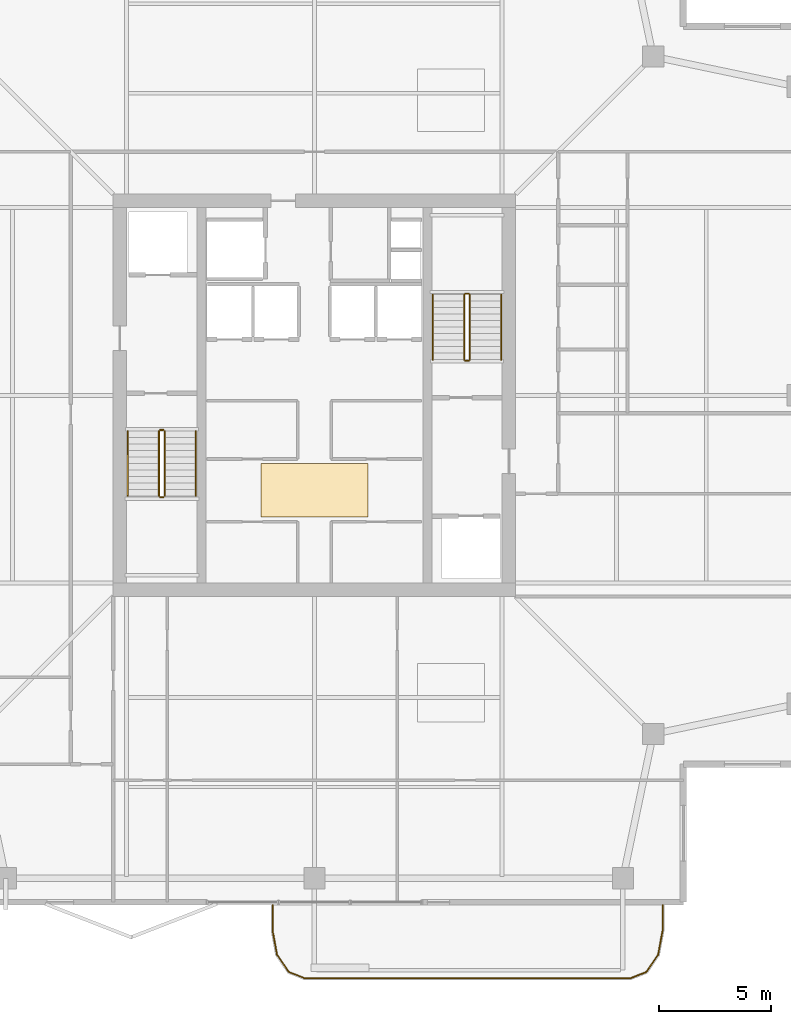
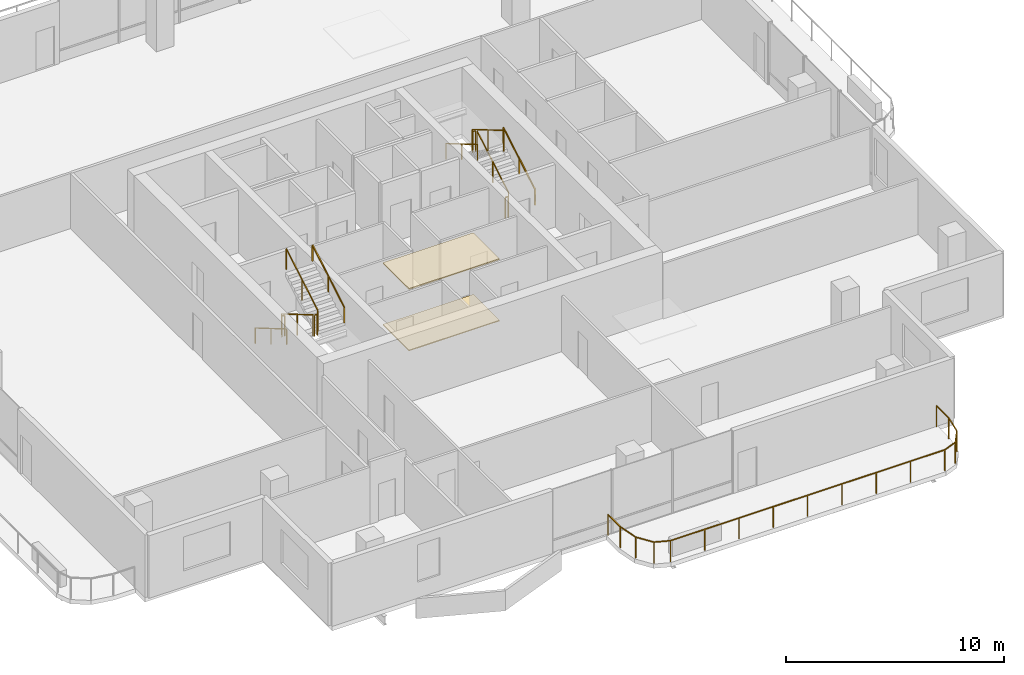
# One storey, part 17 of 18: 13 railings, 2 coverings.
"""IFC4 building model written with IfcOpenShell, lengths in metres."""

from ifc_helpers import new_model, si_unit, direction, frame, origin, origin_2d, place, context, subcontext, project, spatial, polyline, rectangle, outline, extrude, material, layer, layer_set, type_object, element, save


model = new_model("IFC4")

# Units and contexts
model_context = context("Model", 3, precision=1e-05, world=origin(), true_north=direction((0.0, 1.0)))
body_context = subcontext(model_context, "Body", "Model", "MODEL_VIEW")
ifc_project = project(units=[si_unit("LENGTHUNIT", "METRE"), si_unit("AREAUNIT", "SQUARE_METRE"), si_unit("VOLUMEUNIT", "CUBIC_METRE"), si_unit("PLANEANGLEUNIT", "RADIAN"), si_unit("MASSUNIT", "GRAM", prefix="KILO")], contexts=[model_context])

# Site, building, storey
site_placement = place(None, origin())
site = spatial("IfcSite", under=ifc_project, at=site_placement, CompositionType="ELEMENT")
building_placement = place(site_placement, origin())
building = spatial("IfcBuilding", under=site, at=building_placement, Name="Belovzor Exchange Tower", CompositionType="ELEMENT")
storey_placement = place(building_placement, frame((0.0, 0.0, 310.5)))
storey = spatial("IfcBuildingStorey", under=building, at=storey_placement, Name="L77", CompositionType="ELEMENT", Elevation=310.5)

# Railings
ifc_material_1 = material(Name="Stainless Steel Grade 304", Category="steel")
railing_type_1 = type_object("IfcRailingType", Name="Brushed Stainless Steel Stair Handrail 900", PredefinedType="HANDRAIL", material=ifc_material_1)
railing_1_placement = place(storey_placement, frame((20.449951171875, 27.199951171875, 0.17041015625)))
element("IfcRailing", 1, at=railing_1_placement, inside=storey, type_object=railing_type_1, Name="L77 ST-1 stair handrail 1", PredefinedType="HANDRAIL", context=body_context, shape_type="SweptSolid", body=[
    extrude(rectangle(XDim=0.048095703125, YDim=0.048095703125, at=origin_2d()), frame((0.0, 0.0, 0.8759765625), z_axis=(0.0, -0.86209462966, 0.506747323142), x_axis=(1.0, 0.0, 0.0)), (0.0, 0.0, 1.0), 3.36376953125),
    extrude(rectangle(XDim=0.0419921875, YDim=0.0419921875, at=origin_2d()), origin(), (0.0, 0.0, 1.0), 0.851806640625),
    extrude(rectangle(XDim=0.0419921875, YDim=0.0419921875, at=origin_2d()), frame((0.0, -1.449951171875, 0.852294921875)), (0.0, 0.0, 1.0), 0.851806640625),
    extrude(rectangle(XDim=0.0419921875, YDim=0.0419921875, at=origin_2d()), frame((0.0, -2.89990234375, 1.70458984375)), (0.0, 0.0, 1.0), 0.851806640625),
])
railing_2_placement = place(storey_placement, frame((23.5, 24.300048828125, 2.04541015625)))
element("IfcRailing", 2, at=railing_2_placement, inside=storey, type_object=railing_type_1, Name="L77 ST-1 stair handrail 2", PredefinedType="HANDRAIL", context=body_context, shape_type="SweptSolid", body=[
    extrude(rectangle(XDim=0.048095703125, YDim=0.048095703125, at=origin_2d()), frame((0.0, 0.0, 0.8759765625), z_axis=(0.0, 0.86209462966, 0.506747323142), x_axis=(-1.0, 0.0, 0.0)), (0.0, 0.0, 1.0), 3.36376953125),
    extrude(rectangle(XDim=0.0419921875, YDim=0.0419921875, at=origin_2d()), origin(), (0.0, 0.0, 1.0), 0.851806640625),
    extrude(rectangle(XDim=0.0419921875, YDim=0.0419921875, at=origin_2d()), frame((0.0, 1.449951171875, 0.852294921875)), (0.0, 0.0, 1.0), 0.851806640625),
    extrude(rectangle(XDim=0.0419921875, YDim=0.0419921875, at=origin_2d()), frame((0.0, 2.89990234375, 1.70458984375)), (0.0, 0.0, 1.0), 0.851806640625),
])
railing_3_placement = place(storey_placement, frame((37.14990234375, 30.39990234375, 0.17041015625)))
element("IfcRailing", 3, at=railing_3_placement, inside=storey, type_object=railing_type_1, Name="L77 ST-2 stair handrail 1", PredefinedType="HANDRAIL", context=body_context, shape_type="SweptSolid", body=[
    extrude(rectangle(XDim=0.048095703125, YDim=0.048095703125, at=origin_2d()), frame((0.0, 0.0, 0.8759765625), z_axis=(0.0, 0.862113265706, 0.506715617574), x_axis=(-1.0, 0.0, 0.0)), (0.0, 0.0, 1.0), 3.364013671875),
    extrude(rectangle(XDim=0.0419921875, YDim=0.0419921875, at=origin_2d()), origin(), (0.0, 0.0, 1.0), 0.851806640625),
    extrude(rectangle(XDim=0.0419921875, YDim=0.0419921875, at=origin_2d()), frame((0.0, 1.4501953125, 0.852294921875)), (0.0, 0.0, 1.0), 0.851806640625),
    extrude(rectangle(XDim=0.0419921875, YDim=0.0419921875, at=origin_2d()), frame((0.0, 2.900146484375, 1.70458984375)), (0.0, 0.0, 1.0), 0.851806640625),
])
railing_4_placement = place(storey_placement, frame((34.10009765625, 33.300048828125, 2.04541015625)))
element("IfcRailing", 4, at=railing_4_placement, inside=storey, type_object=railing_type_1, Name="L77 ST-2 stair handrail 2", PredefinedType="HANDRAIL", context=body_context, shape_type="SweptSolid", body=[
    extrude(rectangle(XDim=0.048095703125, YDim=0.048095703125, at=origin_2d()), frame((0.0, 0.0, 0.8759765625), z_axis=(0.0, -0.862113265706, 0.506715617574), x_axis=(1.0, 0.0, 0.0)), (0.0, 0.0, 1.0), 3.364013671875),
    extrude(rectangle(XDim=0.0419921875, YDim=0.0419921875, at=origin_2d()), origin(), (0.0, 0.0, 1.0), 0.851806640625),
    extrude(rectangle(XDim=0.0419921875, YDim=0.0419921875, at=origin_2d()), frame((0.0, -1.4501953125, 0.852294921875)), (0.0, 0.0, 1.0), 0.851806640625),
    extrude(rectangle(XDim=0.0419921875, YDim=0.0419921875, at=origin_2d()), frame((0.0, -2.900146484375, 1.70458984375)), (0.0, 0.0, 1.0), 0.851806640625),
])
ifc_material_2 = material(Name="Stainless Steel and Laminated Safety Glass", Category="steel")
railing_type_2 = type_object("IfcRailingType", Name="Laminated Glass & Stainless Steel Balcony Balustrade 1200", PredefinedType="BALUSTRADE", material=ifc_material_2)
railing_5_placement = place(storey_placement, frame((26.929931640625, 5.989990234375, 0.0)))
element("IfcRailing", 5, at=railing_5_placement, inside=storey, type_object=railing_type_2, Name="GR-1 Balcony Balustrade L77 South", PredefinedType="BALUSTRADE", context=body_context, shape_type="SweptSolid", body=[
    extrude(rectangle(XDim=0.048095703125, YDim=0.048095703125, at=origin_2d()), frame((0.0, 0.0, 1.17578125), z_axis=(0.0, -1.0, 0.0), x_axis=(1.0, 0.0, 0.0)), (0.0, 0.0, 1.0), 1.133056640625),
    extrude(rectangle(XDim=0.048095703125, YDim=0.048095703125, at=origin_2d()), frame((0.0, -1.133056640625, 1.17578125), z_axis=(0.180122719713, -0.983644145941, 0.0), x_axis=(0.983644145941, 0.180122719713, 0.0)), (0.0, 0.0, 1.0), 1.09375),
    extrude(rectangle(XDim=0.048095703125, YDim=0.048095703125, at=origin_2d()), frame((0.197021484375, -2.208984375, 1.17578125), z_axis=(0.56294695933, -0.826493025367, 0.0), x_axis=(0.826493025367, 0.56294695933, 0.0)), (0.0, 0.0, 1.0), 0.932861328125),
    extrude(rectangle(XDim=0.048095703125, YDim=0.048095703125, at=origin_2d()), frame((0.72216796875, -2.97998046875, 1.17578125), z_axis=(0.930766990125, -0.365612923861, 0.0), x_axis=(0.365612923861, 0.930766990125, 0.0)), (0.0, 0.0, 1.0), 0.765869140625),
    extrude(rectangle(XDim=0.048095703125, YDim=0.048095703125, at=origin_2d()), frame((1.43505859375, -3.260009765625, 1.17578125), z_axis=(1.0, 0.0, 0.0), x_axis=(0.0, 1.0, 0.0)), (0.0, 0.0, 1.0), 14.570068359375),
    extrude(rectangle(XDim=0.048095703125, YDim=0.048095703125, at=origin_2d()), frame((16.005126953125, -3.260009765625, 1.17578125), z_axis=(0.930766990125, 0.365612923861, 0.0), x_axis=(-0.365612923861, 0.930766990125, 0.0)), (0.0, 0.0, 1.0), 0.765869140625),
    extrude(rectangle(XDim=0.048095703125, YDim=0.048095703125, at=origin_2d()), frame((16.718017578125, -2.97998046875, 1.17578125), z_axis=(0.56294695933, 0.826493025367, 0.0), x_axis=(-0.826493025367, 0.56294695933, 0.0)), (0.0, 0.0, 1.0), 0.932861328125),
    extrude(rectangle(XDim=0.048095703125, YDim=0.048095703125, at=origin_2d()), frame((17.2431640625, -2.208984375, 1.17578125), z_axis=(0.180122719713, 0.983644145941, 0.0), x_axis=(-0.983644145941, 0.180122719713, 0.0)), (0.0, 0.0, 1.0), 1.09375),
    extrude(rectangle(XDim=0.048095703125, YDim=0.048095703125, at=origin_2d()), frame((17.440185546875, -1.133056640625, 1.17578125), z_axis=(0.0, 1.0, 0.0), x_axis=(-1.0, 0.0, 0.0)), (0.0, 0.0, 1.0), 1.133056640625),
    extrude(rectangle(XDim=0.0419921875, YDim=0.0419921875, at=origin_2d()), origin(), (0.0, 0.0, 1.0), 1.15185546875),
    extrude(rectangle(XDim=0.0419921875, YDim=0.0419921875, at=origin_2d()), frame((0.0, -1.133056640625, 0.0)), (0.0, 0.0, 1.0), 1.15185546875),
    extrude(rectangle(XDim=0.0419921875, YDim=0.0419921875, at=origin_2d()), frame((0.197021484375, -2.208984375, 0.0)), (0.0, 0.0, 1.0), 1.15185546875),
    extrude(rectangle(XDim=0.0419921875, YDim=0.0419921875, at=origin_2d()), frame((0.72216796875, -2.97998046875, 0.0)), (0.0, 0.0, 1.0), 1.15185546875),
    extrude(rectangle(XDim=0.0419921875, YDim=0.0419921875, at=origin_2d()), frame((1.43505859375, -3.260009765625, 0.0)), (0.0, 0.0, 1.0), 1.15185546875),
    extrude(rectangle(XDim=0.0419921875, YDim=0.0419921875, at=origin_2d()), frame((3.25634765625, -3.260009765625, 0.0)), (0.0, 0.0, 1.0), 1.15185546875),
    extrude(rectangle(XDim=0.0419921875, YDim=0.0419921875, at=origin_2d()), frame((5.07763671875, -3.260009765625, 0.0)), (0.0, 0.0, 1.0), 1.15185546875),
    extrude(rectangle(XDim=0.0419921875, YDim=0.0419921875, at=origin_2d()), frame((6.89892578125, -3.260009765625, 0.0)), (0.0, 0.0, 1.0), 1.15185546875),
    extrude(rectangle(XDim=0.0419921875, YDim=0.0419921875, at=origin_2d()), frame((8.72021484375, -3.260009765625, 0.0)), (0.0, 0.0, 1.0), 1.15185546875),
    extrude(rectangle(XDim=0.0419921875, YDim=0.0419921875, at=origin_2d()), frame((10.541259765625, -3.260009765625, 0.0)), (0.0, 0.0, 1.0), 1.15185546875),
    extrude(rectangle(XDim=0.0419921875, YDim=0.0419921875, at=origin_2d()), frame((12.362548828125, -3.260009765625, 0.0)), (0.0, 0.0, 1.0), 1.15185546875),
    extrude(rectangle(XDim=0.0419921875, YDim=0.0419921875, at=origin_2d()), frame((14.183837890625, -3.260009765625, 0.0)), (0.0, 0.0, 1.0), 1.15185546875),
    extrude(rectangle(XDim=0.0419921875, YDim=0.0419921875, at=origin_2d()), frame((16.005126953125, -3.260009765625, 0.0)), (0.0, 0.0, 1.0), 1.15185546875),
    extrude(rectangle(XDim=0.0419921875, YDim=0.0419921875, at=origin_2d()), frame((16.718017578125, -2.97998046875, 0.0)), (0.0, 0.0, 1.0), 1.15185546875),
    extrude(rectangle(XDim=0.0419921875, YDim=0.0419921875, at=origin_2d()), frame((17.2431640625, -2.208984375, 0.0)), (0.0, 0.0, 1.0), 1.15185546875),
    extrude(rectangle(XDim=0.0419921875, YDim=0.0419921875, at=origin_2d()), frame((17.440185546875, -1.133056640625, 0.0)), (0.0, 0.0, 1.0), 1.15185546875),
    extrude(rectangle(XDim=0.0419921875, YDim=0.0419921875, at=origin_2d()), frame((17.440185546875, 0.0, 0.0)), (0.0, 0.0, 1.0), 1.15185546875),
])
ifc_material_3 = material(Name="Steel S355", Category="steel")
railing_type_3 = type_object("IfcRailingType", Name="Painted Steel Stairwell Guardrail 1200", PredefinedType="GUARDRAIL", material=ifc_material_3)
railing_6_placement = place(storey_placement, frame((21.85009765625, 27.199951171875, 0.17041015625)))
element("IfcRailing", 6, at=railing_6_placement, inside=storey, type_object=railing_type_3, Name="L77 ST-1 stair guard 1", PredefinedType="GUARDRAIL", context=body_context, shape_type="SweptSolid", body=[
    extrude(rectangle(XDim=0.048095703125, YDim=0.048095703125, at=origin_2d()), frame((0.0, 0.0, 1.17578125), z_axis=(0.0, -0.86209462966, 0.506747323142), x_axis=(1.0, 0.0, 0.0)), (0.0, 0.0, 1.0), 3.36376953125),
    extrude(rectangle(XDim=0.0419921875, YDim=0.0419921875, at=origin_2d()), origin(), (0.0, 0.0, 1.0), 1.15185546875),
    extrude(rectangle(XDim=0.0419921875, YDim=0.0419921875, at=origin_2d()), frame((0.0, -1.449951171875, 0.852294921875)), (0.0, 0.0, 1.0), 1.15185546875),
    extrude(rectangle(XDim=0.0419921875, YDim=0.0419921875, at=origin_2d()), frame((0.0, -2.89990234375, 1.70458984375)), (0.0, 0.0, 1.0), 1.15185546875),
])
railing_7_placement = place(storey_placement, frame((21.89990234375, 24.25, 1.875)))
element("IfcRailing", 7, at=railing_7_placement, inside=storey, type_object=railing_type_3, Name="L77 ST-1 stair guard 2", PredefinedType="GUARDRAIL", context=body_context, shape_type="SweptSolid", body=[
    extrude(rectangle(XDim=0.048095703125, YDim=0.048095703125, at=origin_2d()), frame((0.0, 0.0, 1.17578125), z_axis=(1.0, 0.0, 0.0), x_axis=(0.0, 1.0, 0.0)), (0.0, 0.0, 1.0), 0.150146484375),
    extrude(rectangle(XDim=0.0419921875, YDim=0.0419921875, at=origin_2d()), origin(), (0.0, 0.0, 1.0), 1.15185546875),
    extrude(rectangle(XDim=0.0419921875, YDim=0.0419921875, at=origin_2d()), frame((0.150146484375, 0.0, 0.0)), (0.0, 0.0, 1.0), 1.15185546875),
])
railing_8_placement = place(storey_placement, frame((22.10009765625, 24.300048828125, 2.04541015625)))
element("IfcRailing", 8, at=railing_8_placement, inside=storey, type_object=railing_type_3, Name="L77 ST-1 stair guard 3", PredefinedType="GUARDRAIL", context=body_context, shape_type="SweptSolid", body=[
    extrude(rectangle(XDim=0.048095703125, YDim=0.048095703125, at=origin_2d()), frame((0.0, 0.0, 1.17578125), z_axis=(0.0, 0.86209462966, 0.506747323142), x_axis=(-1.0, 0.0, 0.0)), (0.0, 0.0, 1.0), 3.36376953125),
    extrude(rectangle(XDim=0.0419921875, YDim=0.0419921875, at=origin_2d()), origin(), (0.0, 0.0, 1.0), 1.15185546875),
    extrude(rectangle(XDim=0.0419921875, YDim=0.0419921875, at=origin_2d()), frame((0.0, 1.449951171875, 0.852294921875)), (0.0, 0.0, 1.0), 1.15185546875),
    extrude(rectangle(XDim=0.0419921875, YDim=0.0419921875, at=origin_2d()), frame((0.0, 2.89990234375, 1.70458984375)), (0.0, 0.0, 1.0), 1.15185546875),
])
railing_9_placement = place(storey_placement, frame((21.89990234375, 27.25, 0.0)))
element("IfcRailing", 9, at=railing_9_placement, inside=storey, type_object=railing_type_3, Name="L77 ST-1 stair guard 4", PredefinedType="GUARDRAIL", context=body_context, shape_type="SweptSolid", body=[
    extrude(rectangle(XDim=0.048095703125, YDim=0.048095703125, at=origin_2d()), frame((0.0, 0.0, 1.17578125), z_axis=(1.0, 0.0, 0.0), x_axis=(0.0, 1.0, 0.0)), (0.0, 0.0, 1.0), 0.150146484375),
    extrude(rectangle(XDim=0.0419921875, YDim=0.0419921875, at=origin_2d()), origin(), (0.0, 0.0, 1.0), 1.15185546875),
    extrude(rectangle(XDim=0.0419921875, YDim=0.0419921875, at=origin_2d()), frame((0.150146484375, 0.0, 0.0)), (0.0, 0.0, 1.0), 1.15185546875),
])
railing_10_placement = place(storey_placement, frame((35.75, 30.39990234375, 0.17041015625)))
element("IfcRailing", 10, at=railing_10_placement, inside=storey, type_object=railing_type_3, Name="L77 ST-2 stair guard 1", PredefinedType="GUARDRAIL", context=body_context, shape_type="SweptSolid", body=[
    extrude(rectangle(XDim=0.048095703125, YDim=0.048095703125, at=origin_2d()), frame((0.0, 0.0, 1.17578125), z_axis=(0.0, 0.862113265706, 0.506715617574), x_axis=(-1.0, 0.0, 0.0)), (0.0, 0.0, 1.0), 3.364013671875),
    extrude(rectangle(XDim=0.0419921875, YDim=0.0419921875, at=origin_2d()), origin(), (0.0, 0.0, 1.0), 1.15185546875),
    extrude(rectangle(XDim=0.0419921875, YDim=0.0419921875, at=origin_2d()), frame((0.0, 1.4501953125, 0.852294921875)), (0.0, 0.0, 1.0), 1.15185546875),
    extrude(rectangle(XDim=0.0419921875, YDim=0.0419921875, at=origin_2d()), frame((0.0, 2.900146484375, 1.70458984375)), (0.0, 0.0, 1.0), 1.15185546875),
])
railing_11_placement = place(storey_placement, frame((35.699951171875, 33.35009765625, 1.875)))
element("IfcRailing", 11, at=railing_11_placement, inside=storey, type_object=railing_type_3, Name="L77 ST-2 stair guard 2", PredefinedType="GUARDRAIL", context=body_context, shape_type="SweptSolid", body=[
    extrude(rectangle(XDim=0.048095703125, YDim=0.048095703125, at=origin_2d()), frame((0.0, 0.0, 1.17578125), z_axis=(-1.0, 0.0, 0.0), x_axis=(0.0, -1.0, 0.0)), (0.0, 0.0, 1.0), 0.14990234375),
    extrude(rectangle(XDim=0.0419921875, YDim=0.0419921875, at=origin_2d()), origin(), (0.0, 0.0, 1.0), 1.15185546875),
    extrude(rectangle(XDim=0.0419921875, YDim=0.0419921875, at=origin_2d()), frame((-0.14990234375, 0.0, 0.0)), (0.0, 0.0, 1.0), 1.15185546875),
])
railing_12_placement = place(storey_placement, frame((35.5, 33.300048828125, 2.04541015625)))
element("IfcRailing", 12, at=railing_12_placement, inside=storey, type_object=railing_type_3, Name="L77 ST-2 stair guard 3", PredefinedType="GUARDRAIL", context=body_context, shape_type="SweptSolid", body=[
    extrude(rectangle(XDim=0.048095703125, YDim=0.048095703125, at=origin_2d()), frame((0.0, 0.0, 1.17578125), z_axis=(0.0, -0.862113265706, 0.506715617574), x_axis=(1.0, 0.0, 0.0)), (0.0, 0.0, 1.0), 3.364013671875),
    extrude(rectangle(XDim=0.0419921875, YDim=0.0419921875, at=origin_2d()), origin(), (0.0, 0.0, 1.0), 1.15185546875),
    extrude(rectangle(XDim=0.0419921875, YDim=0.0419921875, at=origin_2d()), frame((0.0, -1.4501953125, 0.852294921875)), (0.0, 0.0, 1.0), 1.15185546875),
    extrude(rectangle(XDim=0.0419921875, YDim=0.0419921875, at=origin_2d()), frame((0.0, -2.900146484375, 1.70458984375)), (0.0, 0.0, 1.0), 1.15185546875),
])
railing_13_placement = place(storey_placement, frame((35.699951171875, 30.35009765625, 0.0)))
element("IfcRailing", 13, at=railing_13_placement, inside=storey, type_object=railing_type_3, Name="L77 ST-2 stair guard 4", PredefinedType="GUARDRAIL", context=body_context, shape_type="SweptSolid", body=[
    extrude(rectangle(XDim=0.048095703125, YDim=0.048095703125, at=origin_2d()), frame((0.0, 0.0, 1.17578125), z_axis=(-1.0, 0.0, 0.0), x_axis=(0.0, -1.0, 0.0)), (0.0, 0.0, 1.0), 0.14990234375),
    extrude(rectangle(XDim=0.0419921875, YDim=0.0419921875, at=origin_2d()), origin(), (0.0, 0.0, 1.0), 1.15185546875),
    extrude(rectangle(XDim=0.0419921875, YDim=0.0419921875, at=origin_2d()), frame((-0.14990234375, 0.0, 0.0)), (0.0, 0.0, 1.0), 1.15185546875),
])

# Coverings
ifc_material_4 = material(Name="Perforated Powder-Coated Aluminium", Category="aluminium")
ifc_layer_1 = layer(ifc_material_4, 0.06005859375)
ifc_layer_set_1 = layer_set([ifc_layer_1], Name="Perforated Powder-Coated Aluminium")
covering_type_1 = type_object("IfcCoveringType", Name="Perforated Acoustic Metal Tile Suspended Ceiling 60", PredefinedType="CEILING", material=ifc_layer_set_1)
covering_1_placement = place(storey_placement, frame((0.0, 0.0, 3.449951171875)))
element("IfcCovering", 14, at=covering_1_placement, inside=storey, type_object=covering_type_1, Name="CLG-AC60 Suspended Ceiling CLG-L77-LOB", PredefinedType="CEILING", context=body_context, shape_type="SweptSolid", body=[
    extrude(outline(polyline([(26.39990234375, 23.35009765625), (31.199951171875, 23.35009765625), (31.199951171875, 25.75), (26.39990234375, 25.75), (26.39990234375, 23.35009765625)])), origin(), (0.0, 0.0, 1.0), 0.06005859375),
])
ifc_material_5 = material(Name="Polished Natural Granite Tile", Category="masonry")
ifc_layer_2 = layer(ifc_material_5, 0.050048828125)
ifc_layer_set_2 = layer_set([ifc_layer_2], Name="Polished Natural Granite Tile")
covering_type_2 = type_object("IfcCoveringType", Name="Polished Karelian Granite & Raised Access Floor Finish 50", PredefinedType="FLOORING", material=ifc_layer_set_2)
covering_2_placement = place(storey_placement, origin())
element("IfcCovering", 15, at=covering_2_placement, inside=storey, type_object=covering_type_2, Name="FLR-GR50 Floor Finish FLR-L77-LOB", PredefinedType="FLOORING", context=body_context, shape_type="SweptSolid", body=[
    extrude(outline(polyline([(26.39990234375, 23.35009765625), (31.199951171875, 23.35009765625), (31.199951171875, 25.75), (26.39990234375, 25.75), (26.39990234375, 23.35009765625)])), origin(), (0.0, 0.0, 1.0), 0.050048828125),
])

save(model, "model.ifc")
